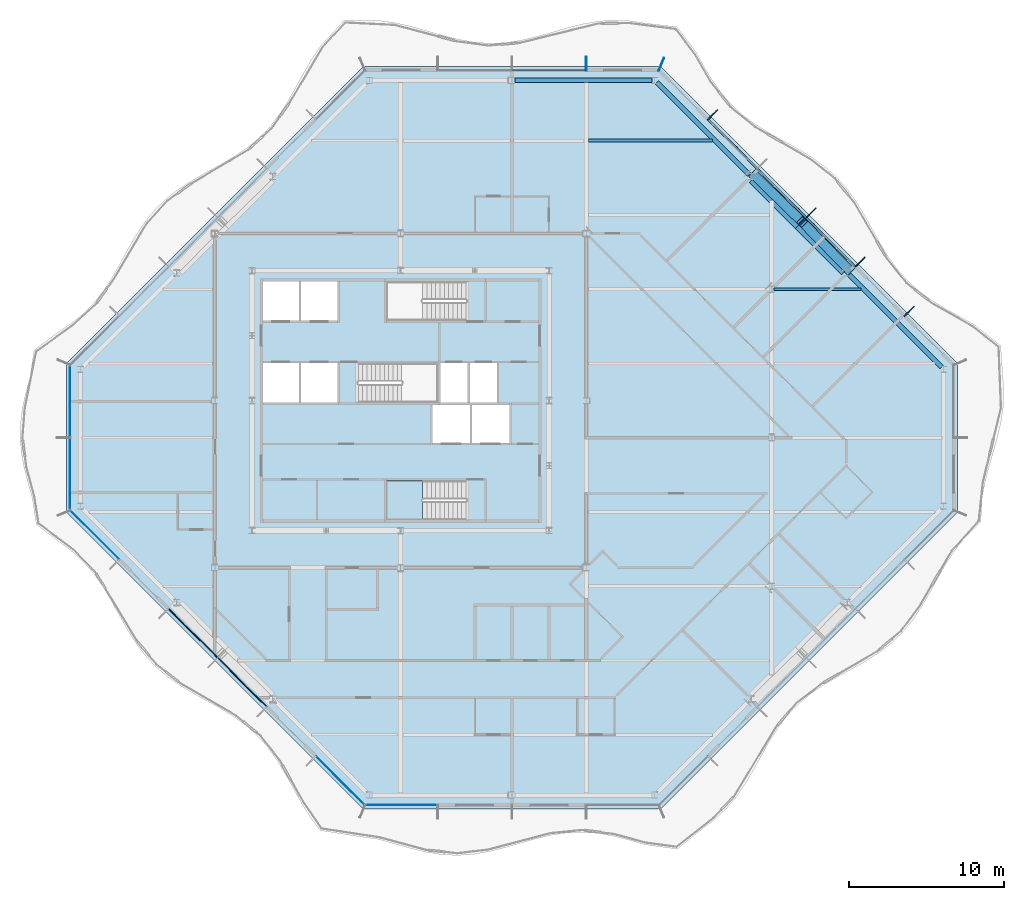
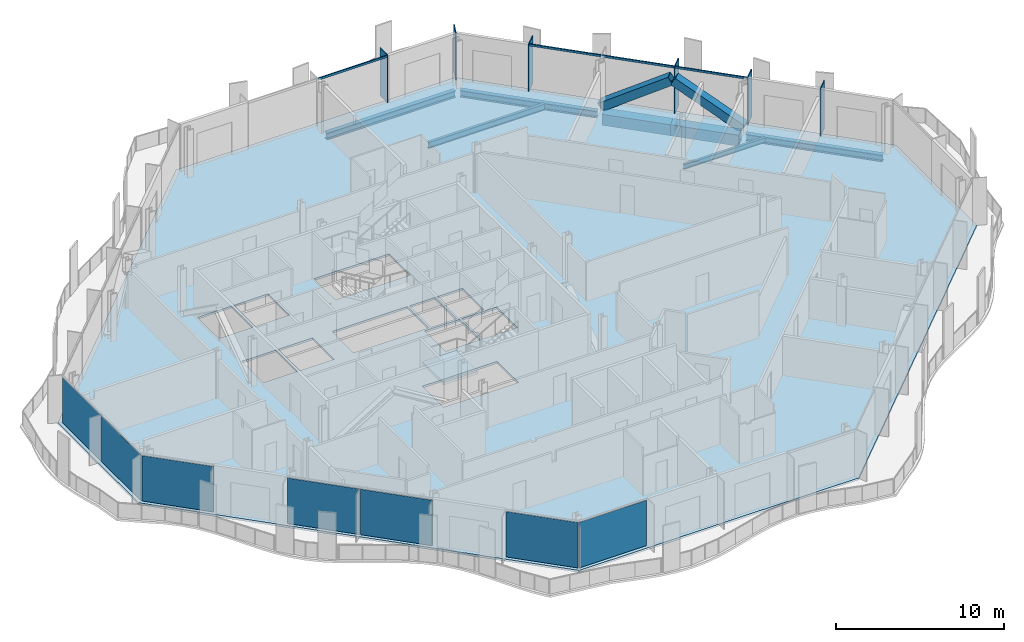
# One storey, part 5 of 17: 12 members, 7 beams, 7 plates, 2 slabs, 6 elements without a shape of their own.
"""IFC4 building model written with IfcOpenShell, lengths in metres."""

from ifc_helpers import new_model, si_unit, direction, frame, origin, origin_2d, place, context, subcontext, project, spatial, polyline, rectangle, hollow_rectangle, i_section, outline, extrude, material, layer, layer_set, material_profile, profile_set, type_object, element, aggregate, save


model = new_model("IFC4")

# Units and contexts
model_context = context("Model", 3, precision=1e-05, world=origin(), true_north=direction((0.0, 1.0)))
body_context = subcontext(model_context, "Body", "Model", "MODEL_VIEW")
ifc_project = project(units=[si_unit("LENGTHUNIT", "METRE"), si_unit("AREAUNIT", "SQUARE_METRE"), si_unit("VOLUMEUNIT", "CUBIC_METRE"), si_unit("PLANEANGLEUNIT", "RADIAN"), si_unit("MASSUNIT", "GRAM", prefix="KILO")], contexts=[model_context])

# Site, building, storey
site_placement = place(None, origin())
site = spatial("IfcSite", under=ifc_project, at=site_placement, CompositionType="ELEMENT")
building_placement = place(site_placement, origin())
building = spatial("IfcBuilding", under=site, at=building_placement, Name="Cairn Pilgrim Tower", CompositionType="ELEMENT")
storey_placement = place(building_placement, frame((0.0, 0.0, 217.800048828125)))
storey = spatial("IfcBuildingStorey", under=building, at=storey_placement, Name="L55", CompositionType="ELEMENT", Elevation=217.800048828125)

# Members
ifc_material_1 = material(Name="Structural steel S460M", Category="steel")
ifc_material_profile_1 = material_profile(ifc_material_1, hollow_rectangle(XDim=0.60009765625, YDim=0.60009765625, WallThickness=0.034912109375, at=origin_2d()), Name="BOX 600x600x35")
ifc_profile_set_1 = profile_set([ifc_material_profile_1], Name="Structural steel S460M")
member_type_1 = type_object("IfcMemberType", Name="BOX 600x600x35 BRACE", PredefinedType="BRACE", material=ifc_profile_set_1)
for number, where, z_axis, x_axis, name in (
    (1, (36.201416015625, 10.823974609375, 0.14990234375), (-0.59476326853, 0.609993709431, 0.523607036681), (-0.715988756584, -0.698111810848, 0.0), "XB-NE2-NE3-1"),
    (2, (30.02392578125, 17.00146484375, 0.14990234375), (0.609993709431, -0.59476326853, 0.523607036681), (0.698111810848, 0.715988756584, 0.0), "XB-NE2-NE3-2"),
):
    element("IfcMember", number, at=place(storey_placement, frame(where, z_axis=z_axis, x_axis=x_axis)), inside=storey, type_object=member_type_1, Name=name, PredefinedType="BRACE", context=body_context, shape_type="SweptSolid", body=[
        extrude(hollow_rectangle(XDim=0.60009765625, YDim=0.60009765625, WallThickness=0.034912109375, at=origin_2d()), origin(), (0.0, 0.0, 1.0), 5.033447265625),
    ])

# Beams
ifc_material_2 = material(Name="Structural steel S355J2", Category="steel")
ifc_material_profile_2 = material_profile(ifc_material_2, hollow_rectangle(XDim=0.699951171875, YDim=0.800048828125, WallThickness=0.0400390625, at=origin_2d()), Name="BOX 700x800x40")
ifc_profile_set_2 = profile_set([ifc_material_profile_2], Name="Structural steel S355J2")
beam_type_1 = type_object("IfcBeamType", Name="BOX 700x800x40 RING GIRDER", PredefinedType="SPANDREL", material=ifc_profile_set_2)
beam_1_placement = place(storey_placement, frame((35.943359375, 10.78369140625, -0.550048828125), z_axis=(-0.707077813866, 0.707135747321, 0.0), x_axis=(-0.707135747321, -0.707077813866, 0.0)))
element("IfcBeam", 3, at=beam_1_placement, inside=storey, type_object=beam_type_1, Name="RG3-NE2-NE3-1", PredefinedType="SPANDREL", context=body_context, shape_type="SweptSolid", body=[
    extrude(hollow_rectangle(XDim=0.699951171875, YDim=0.800048828125, WallThickness=0.0400390625, at=origin_2d()), origin(), (0.0, 0.0, 1.0), 4.214111328125),
])
beam_2_placement = place(storey_placement, frame((32.963623046875, 13.763671875, -0.550048828125), z_axis=(-0.707106781187, 0.707106781187, 0.0), x_axis=(-0.707106781187, -0.707106781187, 0.0)))
element("IfcBeam", 4, at=beam_2_placement, inside=storey, type_object=beam_type_1, Name="RG3-NE2-NE3-2", PredefinedType="SPANDREL", context=body_context, shape_type="SweptSolid", body=[
    extrude(hollow_rectangle(XDim=0.699951171875, YDim=0.800048828125, WallThickness=0.0400390625, at=origin_2d()), origin(), (0.0, 0.0, 1.0), 4.2138671875),
])

# Curtain wall, members
ifc_material_3 = material(Name="Aluminium alloy 6063-T6 bronze anodised with Bronze tinted laminated low-E glass 8+16+8.8", Category="aluminium")
curtain_wall_type_1 = type_object("IfcCurtainWallType", Name="CHAMFER CORNER CURTAIN WALL", PredefinedType="NOTDEFINED", material=ifc_material_3)
curtain_wall_1_placement = place(storey_placement, origin())
curtain_wall_1 = element("IfcCurtainWall", 5, at=curtain_wall_1_placement, inside=storey, type_object=curtain_wall_type_1, Name="Chamfer Corner Curtain Wall NE", PredefinedType="NOTDEFINED")
ifc_material_4 = material(Name="Aluminium alloy 6063-T6 bronze anodised", Category="aluminium")
ifc_material_profile_3 = material_profile(ifc_material_4, rectangle(XDim=0.89990234375, YDim=0.06005859375, at=origin_2d()), Name="FIN MULLION 60x900 BRONZE")
ifc_profile_set_3 = profile_set([ifc_material_profile_3], Name="Aluminium alloy 6063-T6 bronze anodised")
member_type_2 = type_object("IfcMemberType", Name="FIN MULLION 60x900 BRONZE", PredefinedType="MULLION", material=ifc_profile_set_3)
member_1_placement = place(storey_placement, frame((40.0712890625, 8.1689453125, 0.0), z_axis=(0.0, 0.0, 1.0), x_axis=(0.707106781187, 0.707106781187, 0.0)))
member_1 = element("IfcMember", 6, at=member_1_placement, type_object=member_type_2, Name="Fin mullion NE2", PredefinedType="MULLION", context=body_context, shape_type="SweptSolid", body=[
    extrude(rectangle(XDim=0.89990234375, YDim=0.06005859375, at=origin_2d()), origin(), (0.0, 0.0, 1.0), 3.449951171875),
])
member_2_placement = place(storey_placement, frame((36.895751953125, 11.3447265625, 0.0), z_axis=(0.0, 0.0, 1.0), x_axis=(0.707106781187, 0.707106781187, 0.0)))
member_2 = element("IfcMember", 7, at=member_2_placement, type_object=member_type_2, Name="Fin mullion NE3", PredefinedType="MULLION", context=body_context, shape_type="SweptSolid", body=[
    extrude(rectangle(XDim=0.89990234375, YDim=0.06005859375, at=origin_2d()), origin(), (0.0, 0.0, 1.0), 3.449951171875),
])
member_3_placement = place(storey_placement, frame((33.72021484375, 14.520263671875, 0.0), z_axis=(0.0, 0.0, 1.0), x_axis=(0.707106781187, 0.707106781187, 0.0)))
member_3 = element("IfcMember", 8, at=member_3_placement, type_object=member_type_2, Name="Fin mullion NE4", PredefinedType="MULLION", context=body_context, shape_type="SweptSolid", body=[
    extrude(rectangle(XDim=0.89990234375, YDim=0.06005859375, at=origin_2d()), origin(), (0.0, 0.0, 1.0), 3.449951171875),
])
member_4_placement = place(storey_placement, frame((27.369140625, 20.871337890625, 0.0), z_axis=(0.0, 0.0, 1.0), x_axis=(0.707106781187, 0.707106781187, 0.0)))
member_4 = element("IfcMember", 9, at=member_4_placement, type_object=member_type_2, Name="Fin mullion NE6", PredefinedType="MULLION", context=body_context, shape_type="SweptSolid", body=[
    extrude(rectangle(XDim=0.89990234375, YDim=0.06005859375, at=origin_2d()), origin(), (0.0, 0.0, 1.0), 3.449951171875),
])

curtain_wall_type_2 = type_object("IfcCurtainWallType", Name="TOWER STICK CURTAIN WALL NS", PredefinedType="NOTDEFINED", material=ifc_material_3)
curtain_wall_2_placement = place(storey_placement, origin())
curtain_wall_2 = element("IfcCurtainWall", 10, at=curtain_wall_2_placement, inside=storey, type_object=curtain_wall_type_2, Name="Tower Stick Curtain Wall Ns N", PredefinedType="NOTDEFINED")
member_5_placement = place(storey_placement, frame((24.05712890625, 24.137939453125, 0.0), z_axis=(0.0, 0.0, 1.0), x_axis=(0.382683432365, 0.923879532511, 0.0)))
member_5 = element("IfcMember", 11, at=member_5_placement, type_object=member_type_2, Name="Fin mullion N1", PredefinedType="MULLION", context=body_context, shape_type="SweptSolid", body=[
    extrude(rectangle(XDim=0.89990234375, YDim=0.06005859375, at=origin_2d()), origin(), (0.0, 0.0, 1.0), 3.449951171875),
])
member_6_placement = place(storey_placement, frame((19.199951171875, 24.169921875, 0.0), z_axis=(0.0, 0.0, 1.0), x_axis=(0.0, 1.0, 0.0)))
member_6 = element("IfcMember", 12, at=member_6_placement, type_object=member_type_2, Name="Fin mullion N2", PredefinedType="MULLION", context=body_context, shape_type="SweptSolid", body=[
    extrude(rectangle(XDim=0.89990234375, YDim=0.06005859375, at=origin_2d()), origin(), (0.0, 0.0, 1.0), 3.449951171875),
])

# Beams
ifc_material_profile_4 = material_profile(ifc_material_2, i_section(OverallWidth=0.300048828125, OverallDepth=0.5, WebThickness=0.014404296875, FlangeThickness=0.028076171875, FilletRadius=0.027099609375, at=origin_2d()), Name="HEB 500")
ifc_profile_set_4 = profile_set([ifc_material_profile_4], Name="Structural steel S355J2")
beam_type_2 = type_object("IfcBeamType", Name="HEB 500 RING GIRDER", PredefinedType="SPANDREL", material=ifc_profile_set_4)
for number, where, z_axis, x_axis, name in (
    (13, (42.16748046875, 4.5595703125, -0.400146484375), (-0.707106781187, 0.707106781187, 0.0), (-0.707106781187, -0.707106781187, 0.0), "RG3-NE1-NE2"),
    (14, (29.718994140625, 17.008056640625, -0.400146484375), (-0.707106781187, 0.707106781187, 0.0), (-0.707106781187, -0.707106781187, 0.0), "RG3-NE3-N1"),
):
    element("IfcBeam", number, at=place(storey_placement, frame(where, z_axis=z_axis, x_axis=x_axis)), inside=storey, type_object=beam_type_2, Name=name, PredefinedType="SPANDREL", context=body_context, shape_type="SweptSolid", body=[
        extrude(i_section(OverallWidth=0.300048828125, OverallDepth=0.5, WebThickness=0.014404296875, FlangeThickness=0.028076171875, FilletRadius=0.027099609375, at=origin_2d()), origin(), (0.0, 0.0, 1.0), 8.427978515625),
    ])
beam_3_placement = place(storey_placement, frame((23.43994140625, 23.10009765625, -0.400146484375), z_axis=(-1.0, 0.0, 0.0), x_axis=(0.0, -1.0, 0.0)))
element("IfcBeam", 15, at=beam_3_placement, inside=storey, type_object=beam_type_2, Name="RG3-N1-N2", PredefinedType="SPANDREL", context=body_context, shape_type="SweptSolid", body=[
    extrude(i_section(OverallWidth=0.300048828125, OverallDepth=0.5, WebThickness=0.014404296875, FlangeThickness=0.028076171875, FilletRadius=0.027099609375, at=origin_2d()), origin(), (0.0, 0.0, 1.0), 8.852783203125),
])
ifc_material_profile_5 = material_profile(ifc_material_2, i_section(OverallWidth=0.169921875, OverallDepth=0.360107421875, WebThickness=0.008056640625, FlangeThickness=0.0126953125, FilletRadius=0.01806640625, at=origin_2d()), Name="IPE 360")
ifc_profile_set_5 = profile_set([ifc_material_profile_5], Name="Structural steel S355J2")
beam_type_3 = type_object("IfcBeamType", Name="IPE 360 SECONDARY BEAM", PredefinedType="JOIST", material=ifc_profile_set_5)
beam_4_placement = place(storey_placement, frame((31.35009765625, 9.60009765625, -0.330078125), z_axis=(1.0, 0.0, 0.0), x_axis=(0.0, 1.0, 0.0)))
element("IfcBeam", 16, at=beam_4_placement, inside=storey, type_object=beam_type_3, Name="SB7-3", PredefinedType="JOIST", context=body_context, shape_type="SweptSolid", body=[
    extrude(i_section(OverallWidth=0.169921875, OverallDepth=0.360107421875, WebThickness=0.008056640625, FlangeThickness=0.0126953125, FilletRadius=0.01806640625, at=origin_2d()), origin(), (0.0, 0.0, 1.0), 5.594970703125),
])
ifc_material_profile_6 = material_profile(ifc_material_2, i_section(OverallWidth=0.18994140625, OverallDepth=0.449951171875, WebThickness=0.009521484375, FlangeThickness=0.0146484375, FilletRadius=0.02099609375, at=origin_2d()), Name="IPE 450")
ifc_profile_set_6 = profile_set([ifc_material_profile_6], Name="Structural steel S355J2")
beam_type_4 = type_object("IfcBeamType", Name="IPE 450 SECONDARY BEAM", PredefinedType="JOIST", material=ifc_profile_set_6)
beam_5_placement = place(storey_placement, frame((19.35009765625, 19.199951171875, -0.375), z_axis=(1.0, 0.0, 0.0), x_axis=(0.0, 1.0, 0.0)))
element("IfcBeam", 17, at=beam_5_placement, inside=storey, type_object=beam_type_4, Name="SB9-3", PredefinedType="JOIST", context=body_context, shape_type="SweptSolid", body=[
    extrude(i_section(OverallWidth=0.18994140625, OverallDepth=0.449951171875, WebThickness=0.009521484375, FlangeThickness=0.0146484375, FilletRadius=0.02099609375, at=origin_2d()), origin(), (0.0, 0.0, 1.0), 7.9951171875),
])

# Member
ifc_material_profile_7 = material_profile(ifc_material_4, rectangle(XDim=0.080078125, YDim=0.14990234375, at=origin_2d()), Name="TRANSOM 80x150 BRONZE")
ifc_profile_set_7 = profile_set([ifc_material_profile_7], Name="Aluminium alloy 6063-T6 bronze anodised")
member_type_3 = type_object("IfcMemberType", Name="TRANSOM 80x150 BRONZE", PredefinedType="USERDEFINED", material=ifc_profile_set_7)
member_7_placement = place(storey_placement, frame((36.57763671875, 11.06884765625, 3.375), z_axis=(-0.707134329907, 0.707079231393, 0.0), x_axis=(-0.707079231393, -0.707134329907, 0.0)))
member_7 = element("IfcMember", 18, at=member_7_placement, type_object=member_type_3, Name="Transom NE3", ObjectType="TRANSOM", PredefinedType="USERDEFINED", context=body_context, shape_type="SweptSolid", body=[
    extrude(rectangle(XDim=0.080078125, YDim=0.14990234375, at=origin_2d()), origin(), (0.0, 0.0, 1.0), 4.430908203125),
])

member_8_placement = place(storey_placement, frame((33.402099609375, 14.244384765625, 3.375), z_axis=(-0.707106781187, 0.707106781187, 0.0), x_axis=(-0.707106781187, -0.707106781187, 0.0)))
member_8 = element("IfcMember", 19, at=member_8_placement, type_object=member_type_3, Name="Transom NE4", ObjectType="TRANSOM", PredefinedType="USERDEFINED", context=body_context, shape_type="SweptSolid", body=[
    extrude(rectangle(XDim=0.080078125, YDim=0.14990234375, at=origin_2d()), origin(), (0.0, 0.0, 1.0), 4.43115234375),
])

member_9_placement = place(storey_placement, frame((30.226318359375, 17.419921875, 3.375), z_axis=(-0.707079231393, 0.707134329907, 0.0), x_axis=(-0.707134329907, -0.707079231393, 0.0)))
member_9 = element("IfcMember", 20, at=member_9_placement, type_object=member_type_3, Name="Transom NE5", ObjectType="TRANSOM", PredefinedType="USERDEFINED", context=body_context, shape_type="SweptSolid", body=[
    extrude(rectangle(XDim=0.080078125, YDim=0.14990234375, at=origin_2d()), origin(), (0.0, 0.0, 1.0), 4.430908203125),
])

aggregate(curtain_wall_1, [member_1, member_2, member_3, member_4, member_7, member_8, member_9])

member_10_placement = place(storey_placement, frame((19.169921875, 23.75, 3.375), z_axis=(-1.0, 0.0, 0.0), x_axis=(0.0, -1.0, 0.0)))
member_10 = element("IfcMember", 21, at=member_10_placement, type_object=member_type_3, Name="Transom N2", ObjectType="TRANSOM", PredefinedType="USERDEFINED", context=body_context, shape_type="SweptSolid", body=[
    extrude(rectangle(XDim=0.080078125, YDim=0.14990234375, at=origin_2d()), origin(), (0.0, 0.0, 1.0), 4.739990234375),
])

aggregate(curtain_wall_2, [member_5, member_6, member_10])

# Slab
ifc_material_5 = material(Name="Concrete C35/45", Category="concrete")
ifc_layer_1 = layer(ifc_material_5, 0.14990234375)
ifc_layer_set_1 = layer_set([ifc_layer_1], Name="COMPOSITE FLOOR SLAB 150")
slab_type_1 = type_object("IfcSlabType", Name="COMPOSITE FLOOR SLAB 150", PredefinedType="FLOOR", material=ifc_layer_set_1)
slab_1_placement = place(storey_placement, frame((0.0, 0.0, -0.150146484375)))
element("IfcSlab", 22, at=slab_1_placement, inside=storey, type_object=slab_type_1, Name="FLOOR SLAB L55", PredefinedType="FLOOR", context=body_context, shape_type="SweptSolid", body=[
    extrude(outline(polyline([(4.800048828125, -24.0), (24.0, -24.0), (43.199951171875, -4.800048828125), (43.199951171875, 4.800048828125), (24.0, 24.0), (4.800048828125, 24.0), (-14.39990234375, 4.800048828125), (-14.39990234375, -4.800048828125), (4.800048828125, -24.0)]), holes=[polyline([(9.27490234375, -0.324951171875), (11.675048828125, -0.324951171875), (11.675048828125, 2.125), (9.27490234375, 2.125), (9.27490234375, -0.324951171875)]), polyline([(11.824951171875, -0.324951171875), (14.22509765625, -0.324951171875), (14.22509765625, 2.125), (11.824951171875, 2.125), (11.824951171875, -0.324951171875)]), polyline([(-1.72509765625, 2.27490234375), (0.625, 2.27490234375), (0.625, 4.824951171875), (-1.72509765625, 4.824951171875), (-1.72509765625, 2.27490234375)]), polyline([(0.77490234375, 2.27490234375), (3.125, 2.27490234375), (3.125, 4.824951171875), (0.77490234375, 4.824951171875), (0.77490234375, 2.27490234375)]), polyline([(-1.72509765625, 7.574951171875), (0.625, 7.574951171875), (0.625, 10.10009765625), (-1.72509765625, 10.10009765625), (-1.72509765625, 7.574951171875)]), polyline([(0.77490234375, 7.574951171875), (3.125, 7.574951171875), (3.125, 10.10009765625), (0.77490234375, 10.10009765625), (0.77490234375, 7.574951171875)]), polyline([(9.77490234375, 2.27490234375), (11.52490234375, 2.27490234375), (11.52490234375, 4.824951171875), (9.77490234375, 4.824951171875), (9.77490234375, 2.27490234375)]), polyline([(11.675048828125, 2.27490234375), (13.425048828125, 2.27490234375), (13.425048828125, 4.824951171875), (11.675048828125, 4.824951171875), (11.675048828125, 2.27490234375)]), polyline([(11.424560546875, -2.77490234375), (6.27490234375, -2.77490234375), (6.27490234375, -5.300048828125), (11.424560546875, -5.300048828125), (11.424560546875, -2.77490234375)]), polyline([(4.4755859375, 2.27490234375), (9.625, 2.27490234375), (9.625, 4.824951171875), (4.4755859375, 4.824951171875), (4.4755859375, 2.27490234375)]), polyline([(11.424560546875, 10.10009765625), (6.27490234375, 10.10009765625), (6.27490234375, 7.574951171875), (11.424560546875, 7.574951171875), (11.424560546875, 10.10009765625)])]), origin(), (0.0, 0.0, 1.0), 0.150146484375),
])

# Curtain wall, plates
curtain_wall_3_placement = place(storey_placement, origin())
curtain_wall_3 = element("IfcCurtainWall", 23, at=curtain_wall_3_placement, inside=storey, type_object=curtain_wall_type_1, Name="Chamfer Corner Curtain Wall SW", PredefinedType="NOTDEFINED")
ifc_material_6 = material(Name="Bronze anodised aluminium spandrel panel with mineral wool insulation", Category="aluminium")
ifc_layer_2 = layer(ifc_material_6, 0.06005859375)
ifc_layer_set_2 = layer_set([ifc_layer_2], Name="SPANDREL PANEL 4431x3300")
plate_type_1 = type_object("IfcPlateType", Name="SPANDREL PANEL 4431x3300", PredefinedType="CURTAIN_PANEL", material=ifc_layer_set_2)
plate_1_placement = place(storey_placement, frame((-6.2109375, -12.635498046875, 0.0), z_axis=(0.0, 0.0, 1.0), x_axis=(0.707106781187, -0.707106781187, 0.0)))
plate_1 = element("IfcPlate", 24, at=plate_1_placement, type_object=plate_type_1, Name="Spandrel Panel SW3-1", PredefinedType="CURTAIN_PANEL", context=body_context, shape_type="SweptSolid", body=[
    extrude(rectangle(XDim=4.430908203125, YDim=0.06005859375, at=origin_2d()), origin(), (0.0, 0.0, 1.0), 3.300048828125),
])
plate_2_placement = place(storey_placement, frame((-3.035400390625, -15.81103515625, 0.0), z_axis=(0.0, 0.0, 1.0), x_axis=(0.707106781187, -0.707106781187, 0.0)))
plate_2 = element("IfcPlate", 25, at=plate_2_placement, type_object=plate_type_1, Name="Spandrel Panel SW4-1", PredefinedType="CURTAIN_PANEL", context=body_context, shape_type="SweptSolid", body=[
    extrude(rectangle(XDim=4.430908203125, YDim=0.06005859375, at=origin_2d()), origin(), (0.0, 0.0, 1.0), 3.300048828125),
])

# Stair, slab
ifc_material_7 = material(Name="Concrete C32/40", Category="concrete")
stair_type = type_object("IfcStairType", Name="EXIT STAIR 1200", PredefinedType="HALF_TURN_STAIR", material=ifc_material_7)
stair_placement = place(storey_placement, origin())
stair = element("IfcStair", 26, at=stair_placement, inside=storey, type_object=stair_type, Name="L55 Exit Stair A", PredefinedType="HALF_TURN_STAIR")
ifc_layer_3 = layer(ifc_material_7, 0.199951171875)
ifc_layer_set_3 = layer_set([ifc_layer_3], Name="STAIR LANDING 200")
slab_type_2 = type_object("IfcSlabType", Name="STAIR LANDING 200", PredefinedType="LANDING", material=ifc_layer_set_3)
slab_2_placement = place(storey_placement, frame((0.0, 0.0, 1.599853515625)))
slab_2 = element("IfcSlab", 27, at=slab_2_placement, type_object=slab_type_2, Name="ST-A landing 1", PredefinedType="LANDING", context=body_context, shape_type="SweptSolid", body=[
    extrude(outline(polyline([(8.625, -2.77490234375), (6.27490234375, -2.77490234375), (6.27490234375, -5.300048828125), (8.625, -5.300048828125), (8.625, -2.77490234375)])), origin(), (0.0, 0.0, 1.0), 0.2001953125),
])
aggregate(stair, [slab_2])

# Plate
ifc_material_8 = material(Name="Bronze tinted laminated low-E glass 8+16+8.8", Category="glass")
ifc_layer_4 = layer(ifc_material_8, 0.033935546875)
ifc_layer_set_4 = layer_set([ifc_layer_4], Name="VISION GLAZING 4421x3300")
plate_type_2 = type_object("IfcPlateType", Name="VISION GLAZING 4421x3300", PredefinedType="CURTAIN_PANEL", material=ifc_layer_set_4)
plate_3_placement = place(storey_placement, frame((-12.55859375, -6.287841796875, 0.0), z_axis=(0.0, 0.0, 1.0), x_axis=(0.707106781187, -0.707106781187, 0.0)))
plate_3 = element("IfcPlate", 28, at=plate_3_placement, type_object=plate_type_2, Name="Vision Glazing SW1-1", PredefinedType="CURTAIN_PANEL", context=body_context, shape_type="SweptSolid", body=[
    extrude(rectangle(XDim=4.4208984375, YDim=0.033935546875, at=origin_2d()), origin(), (0.0, 0.0, 1.0), 3.300048828125),
])

plate_4_placement = place(storey_placement, frame((3.312255859375, -22.15869140625, 0.0), z_axis=(0.0, 0.0, 1.0), x_axis=(0.707106781187, -0.707106781187, 0.0)))
plate_4 = element("IfcPlate", 29, at=plate_4_placement, type_object=plate_type_2, Name="Vision Glazing SW6-1", PredefinedType="CURTAIN_PANEL", context=body_context, shape_type="SweptSolid", body=[
    extrude(rectangle(XDim=4.4208984375, YDim=0.033935546875, at=origin_2d()), origin(), (0.0, 0.0, 1.0), 3.300048828125),
])

aggregate(curtain_wall_3, [plate_3, plate_1, plate_2, plate_4])

# Curtain wall, plate
curtain_wall_4_placement = place(storey_placement, origin())
curtain_wall_4 = element("IfcCurtainWall", 30, at=curtain_wall_4_placement, inside=storey, type_object=curtain_wall_type_2, Name="Tower Stick Curtain Wall Ns S", PredefinedType="NOTDEFINED")
ifc_layer_5 = layer(ifc_material_8, 0.033935546875)
ifc_layer_set_5 = layer_set([ifc_layer_5], Name="VISION GLAZING 4626x3300")
plate_type_3 = type_object("IfcPlateType", Name="VISION GLAZING 4626x3300", PredefinedType="CURTAIN_PANEL", material=ifc_layer_set_5)
plate_5_placement = place(storey_placement, frame((7.2568359375, -23.75, 0.0), z_axis=(0.0, 0.0, 1.0), x_axis=(1.0, 0.0, 0.0)))
plate_5 = element("IfcPlate", 31, at=plate_5_placement, type_object=plate_type_3, Name="Vision Glazing S1-1", PredefinedType="CURTAIN_PANEL", context=body_context, shape_type="SweptSolid", body=[
    extrude(rectangle(XDim=4.62646484375, YDim=0.033935546875, at=origin_2d()), origin(), (0.0, 0.0, 1.0), 3.300048828125),
])
aggregate(curtain_wall_4, [plate_5])

# Curtain wall, plates
curtain_wall_type_3 = type_object("IfcCurtainWallType", Name="TOWER STICK CURTAIN WALL EW", PredefinedType="NOTDEFINED", material=ifc_material_3)
curtain_wall_5_placement = place(storey_placement, origin())
curtain_wall_5 = element("IfcCurtainWall", 32, at=curtain_wall_5_placement, inside=storey, type_object=curtain_wall_type_3, Name="Tower Stick Curtain Wall Ew W", PredefinedType="NOTDEFINED")
plate_6_placement = place(storey_placement, frame((-14.14990234375, 2.34326171875, 0.0), z_axis=(0.0, 0.0, 1.0), x_axis=(0.0, -1.0, 0.0)))
plate_6 = element("IfcPlate", 33, at=plate_6_placement, type_object=plate_type_3, Name="Vision Glazing W1-1", PredefinedType="CURTAIN_PANEL", context=body_context, shape_type="SweptSolid", body=[
    extrude(rectangle(XDim=4.62646484375, YDim=0.033935546875, at=origin_2d()), origin(), (0.0, 0.0, 1.0), 3.300048828125),
])
plate_7_placement = place(storey_placement, frame((-14.14990234375, -2.34326171875, 0.0), z_axis=(0.0, 0.0, 1.0), x_axis=(0.0, -1.0, 0.0)))
plate_7 = element("IfcPlate", 34, at=plate_7_placement, type_object=plate_type_3, Name="Vision Glazing W2-1", PredefinedType="CURTAIN_PANEL", context=body_context, shape_type="SweptSolid", body=[
    extrude(rectangle(XDim=4.62646484375, YDim=0.033935546875, at=origin_2d()), origin(), (0.0, 0.0, 1.0), 3.300048828125),
])
aggregate(curtain_wall_5, [plate_6, plate_7])

save(model, "model.ifc")
